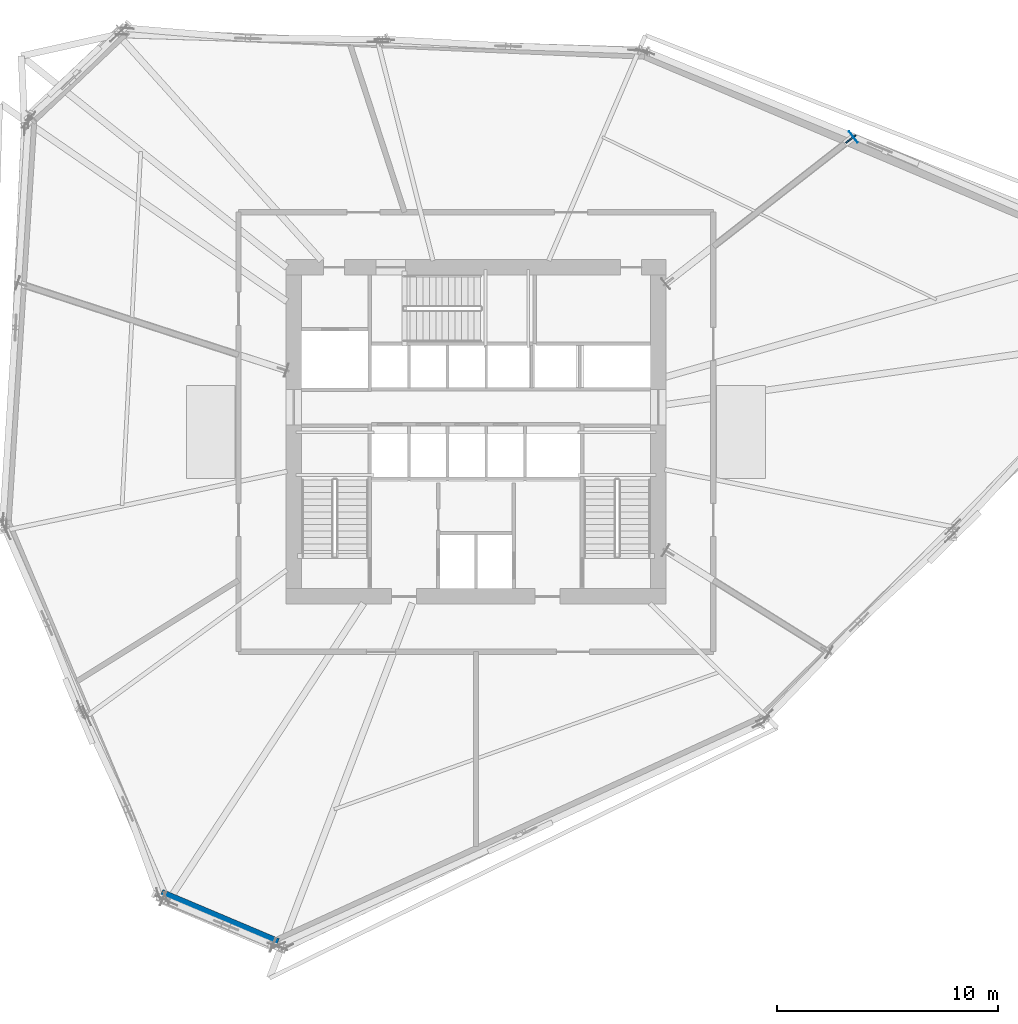
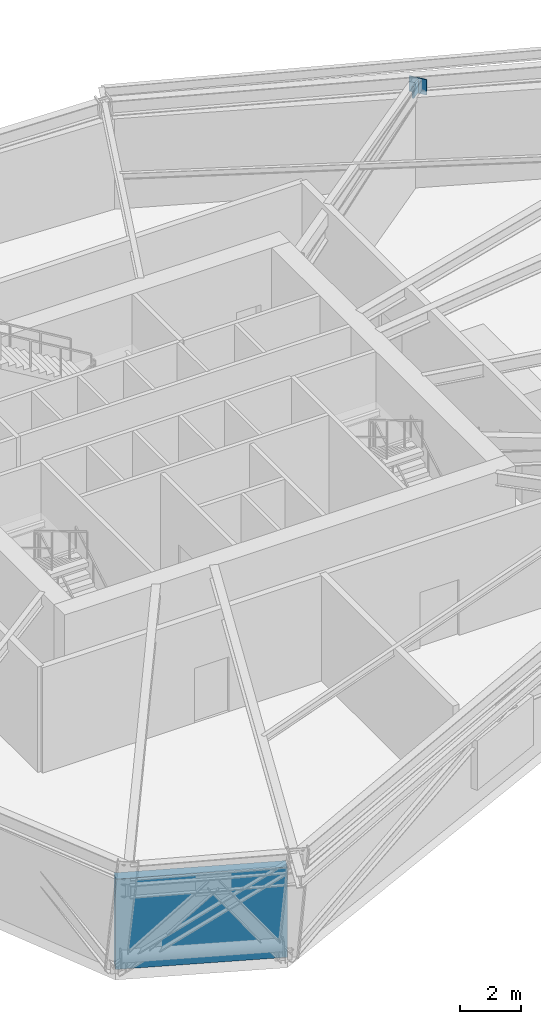
# One storey, part 8 of 15: 2 plates, 1 wall.
"""IFC4 building model written with IfcOpenShell, lengths in metres."""

from ifc_helpers import new_model, si_unit, direction, frame, frame_2d, origin, origin_2d, place, context, subcontext, project, spatial, rectangle, extrude, source, transform, mapped, material, layer, layer_set, type_object, element, save


model = new_model("IFC4")

# Units and contexts
model_context = context("Model", 3, precision=1e-05, world=origin(), true_north=direction((0.0, 1.0)))
body_context = subcontext(model_context, "Body", "Model", "MODEL_VIEW")
ifc_project = project(units=[si_unit("LENGTHUNIT", "METRE"), si_unit("AREAUNIT", "SQUARE_METRE"), si_unit("VOLUMEUNIT", "CUBIC_METRE"), si_unit("PLANEANGLEUNIT", "RADIAN"), si_unit("MASSUNIT", "GRAM", prefix="KILO")], contexts=[model_context])

# Site, building, storey
site_placement = place(None, origin())
site = spatial("IfcSite", under=ifc_project, at=site_placement, CompositionType="ELEMENT")
building_placement = place(site_placement, origin())
building = spatial("IfcBuilding", under=site, at=building_placement, Name="Olszyna Solenne Hotel", CompositionType="ELEMENT")
storey_placement = place(building_placement, frame((0.0, 0.0, 79.89990234375)))
storey = spatial("IfcBuildingStorey", under=building, at=storey_placement, Name="L20", CompositionType="ELEMENT", Elevation=79.89990234375)

# Plates
ifc_material_1 = material(Name="Steel S460M", Category="steel")
plate_type_1 = type_object("IfcPlateType", Name="GP-CAP2", PredefinedType="USERDEFINED", material=ifc_material_1)
shared_shape_1 = source(origin(), body_context, "Body", "SweptSolid", [
    extrude(rectangle(XDim=0.030029296875, YDim=0.6201171875, at=origin_2d()), origin(), (0.0, 0.0, 1.0), 0.6201171875),
])
plate_1_placement = place(storey_placement, frame((55.091064453125, 39.952880859375, 3.489990234375), z_axis=(0.0, 0.0, 1.0), x_axis=(0.788010753607, 0.615661475326, 0.0)))
element("IfcPlate", 1, at=plate_1_placement, inside=storey, type_object=plate_type_1, Name="Hollow section end-cap plate GP-CAP2 CP-OC-OC-L20-02-2", ObjectType="GUSSET_PLATE", PredefinedType="USERDEFINED", context=body_context, shape_type="MappedRepresentation", body=[
    mapped(shared_shape_1, transform((0.0, 0.0, 0.0), x_axis=(1.0, 0.0, 0.0), y_axis=(0.0, 1.0, 0.0), z_axis=(0.0, 0.0, 1.0), scale=1.0)),
])
plate_type_2 = type_object("IfcPlateType", Name="GP-ND1", PredefinedType="USERDEFINED", material=ifc_material_1)
shared_shape_2 = source(origin(), body_context, "Body", "SweptSolid", [
    extrude(rectangle(XDim=0.56005859375, YDim=0.06005859375, at=origin_2d()), origin(), (0.0, 0.0, 1.0), 0.47998046875),
])
plate_2_placement = place(storey_placement, frame((54.968994140625, 39.857666015625, 3.551025390625), z_axis=(0.0, 0.0, 1.0), x_axis=(0.788010753607, 0.615661475326, 0.0)))
element("IfcPlate", 2, at=plate_2_placement, inside=storey, type_object=plate_type_2, Name="Brace end connection gusset plate GP-ND1 EP-OU-L20-02-2", ObjectType="GUSSET_PLATE", PredefinedType="USERDEFINED", context=body_context, shape_type="MappedRepresentation", body=[
    mapped(shared_shape_2, transform((0.0, 0.0, 0.0), x_axis=(1.0, 0.0, 0.0), y_axis=(0.0, 1.0, 0.0), z_axis=(0.0, 0.0, 1.0), scale=1.0)),
])

# Wall
ifc_material_2 = material(Name="Terracotta cladding on precast concrete C45/55", Category="masonry")
ifc_layer = layer(ifc_material_2, 0.3798828125, Name="Terracotta cladding on precast concrete C45/55")
ifc_layer_set = layer_set([ifc_layer], Name="Terracotta cladding on precast concrete C45/55")
wall_type = type_object("IfcWallType", Name="WL-EX380", PredefinedType="SOLIDWALL", material=ifc_layer_set)
wall_placement = place(storey_placement, frame((29.02392578125, 3.481689453125, 0.0), z_axis=(0.0, 0.0, 1.0), x_axis=(-0.921180248129, 0.389136159277, 0.0)))
element("IfcWall", 3, at=wall_placement, inside=storey, type_object=wall_type, Name="Exterior terracotta-precast frame wall WL-EX380 EW-L20-02", PredefinedType="SOLIDWALL", context=body_context, shape_type="SweptSolid", body=[
    extrude(rectangle(XDim=5.72314453125, YDim=0.3798828125, at=frame_2d((2.861572265625, 0.0))), origin(), (0.0, 0.0, 1.0), 3.64208984375),
])

save(model, "model.ifc")
